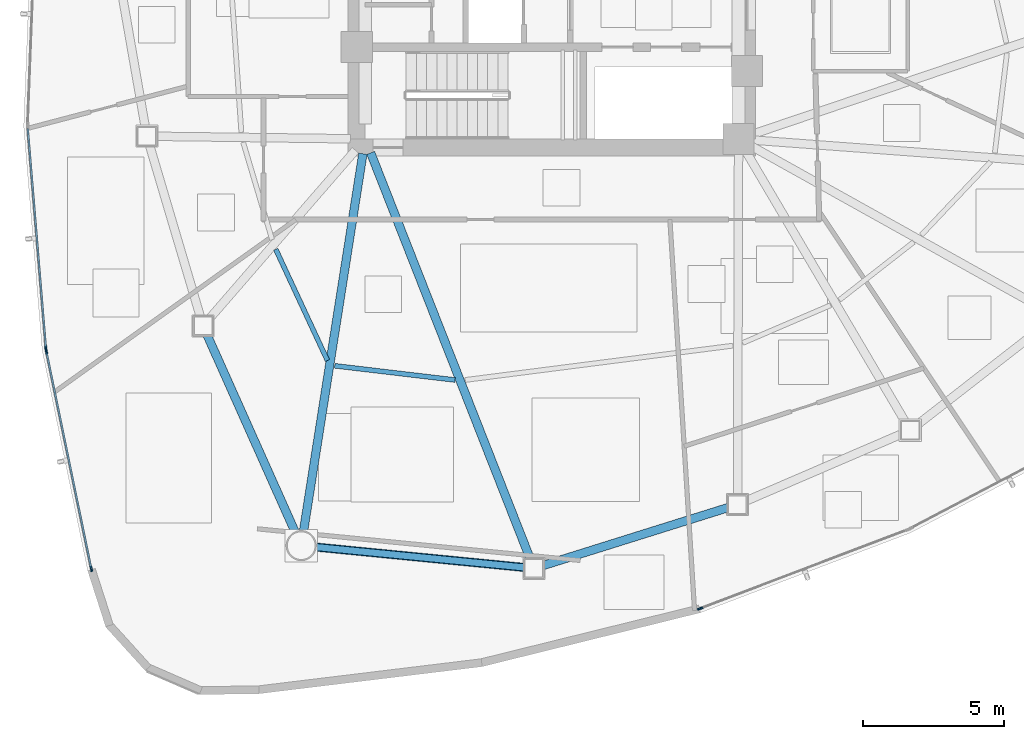
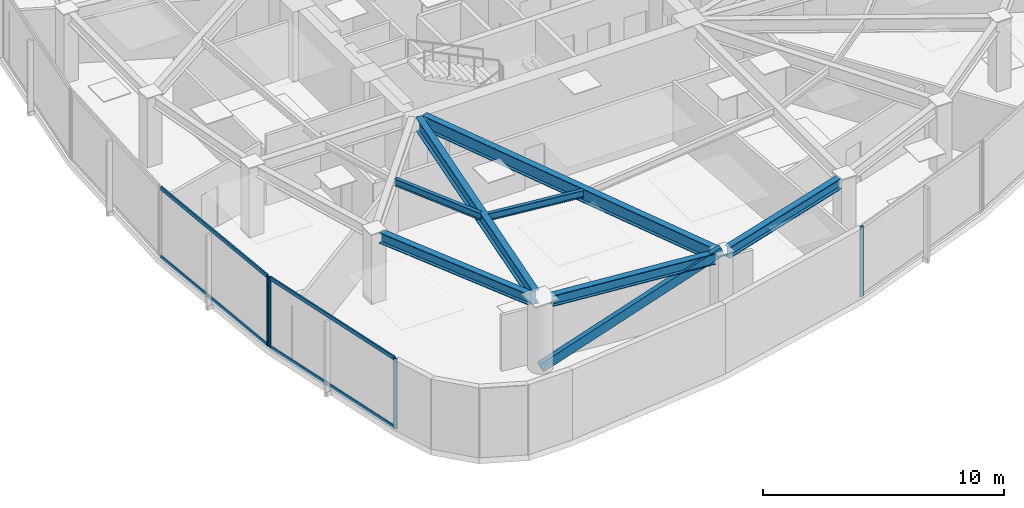
# One storey, part 2 of 17: 9 members, 7 beams, 3 elements without a shape of their own.
"""IFC4 building model written with IfcOpenShell, lengths in metres."""

from ifc_helpers import new_model, si_unit, direction, frame, origin, origin_2d, place, context, subcontext, project, spatial, hollow_rectangle, i_section, extrude, source, transform, mapped, material, layer, layer_set, material_profile, profile_set, type_object, type_shapes, element, aggregate, save


model = new_model("IFC4")

# Units and contexts
model_context = context("Model", 3, precision=1e-05, world=origin(), true_north=direction((0.0, 1.0)))
body_context = subcontext(model_context, "Body", "Model", "MODEL_VIEW")
ifc_project = project(units=[si_unit("LENGTHUNIT", "METRE"), si_unit("AREAUNIT", "SQUARE_METRE"), si_unit("VOLUMEUNIT", "CUBIC_METRE"), si_unit("PLANEANGLEUNIT", "RADIAN"), si_unit("MASSUNIT", "GRAM", prefix="KILO")], contexts=[model_context])

# Site, building, storey
site_placement = place(None, origin())
site = spatial("IfcSite", under=ifc_project, at=site_placement, CompositionType="ELEMENT")
building_placement = place(site_placement, origin())
building = spatial("IfcBuilding", under=site, at=building_placement, Name="Tavelor Broadcast Tower", CompositionType="ELEMENT")
storey_placement = place(building_placement, frame((0.0, 0.0, 134.85009765625)))
storey = spatial("IfcBuildingStorey", under=building, at=storey_placement, Name="L31", CompositionType="ELEMENT", Elevation=134.85009765625)

# Beams
ifc_material_1 = material(Name="Steel S355", Category="steel")
ifc_material_profile_1 = material_profile(ifc_material_1, i_section(OverallWidth=0.169921875, OverallDepth=0.360107421875, WebThickness=0.008056640625, FlangeThickness=0.0126953125, at=origin_2d()), Name="IPE 360")
ifc_profile_set_1 = profile_set([ifc_material_profile_1], Name="Steel S355")
beam_type_1 = type_object("IfcBeamType", Name="Composite Floor Joist T3 IPE 360", PredefinedType="JOIST", material=ifc_profile_set_1)
beam_1_placement = place(storey_placement, frame((40.237548828125, 34.901123046875, 3.369873046875), z_axis=(0.421480014114, -0.906837690936, 0.0), x_axis=(0.906837690936, 0.421480014114, 0.0)))
element("IfcBeam", 1, at=beam_1_placement, inside=storey, type_object=beam_type_1, Name="L31 Secondary Composite Floor Joist 06", PredefinedType="JOIST", context=body_context, shape_type="SweptSolid", body=[
    extrude(i_section(OverallWidth=0.169921875, OverallDepth=0.360107421875, WebThickness=0.008056640625, FlangeThickness=0.0126953125, at=origin_2d()), origin(), (0.0, 0.0, 1.0), 4.337890625),
])
beam_2_placement = place(storey_placement, frame((42.32177734375, 30.781982421875, 3.369873046875), z_axis=(0.993083165759, -0.117413056713, 0.0), x_axis=(0.117413056713, 0.993083165759, 0.0)))
element("IfcBeam", 2, at=beam_2_placement, inside=storey, type_object=beam_type_1, Name="L31 Secondary Composite Floor Joist 07", PredefinedType="JOIST", context=body_context, shape_type="SweptSolid", body=[
    extrude(i_section(OverallWidth=0.169921875, OverallDepth=0.360107421875, WebThickness=0.008056640625, FlangeThickness=0.0126953125, at=origin_2d()), origin(), (0.0, 0.0, 1.0), 4.285400390625),
])
ifc_material_profile_2 = material_profile(ifc_material_1, i_section(OverallWidth=0.300048828125, OverallDepth=0.550048828125, WebThickness=0.014892578125, FlangeThickness=0.029052734375, at=origin_2d()), Name="HEB 550")
ifc_profile_set_2 = profile_set([ifc_material_profile_2], Name="Steel S355")
beam_type_2 = type_object("IfcBeamType", Name="Perimeter Spandrel Beam T3 HEB 550", PredefinedType="SPANDREL", material=ifc_profile_set_2)
beam_3_placement = place(storey_placement, frame((37.80517578125, 31.883544921875, 3.27490234375), z_axis=(0.407977377403, -0.912992036946, 0.0), x_axis=(0.912992036946, 0.407977377403, 0.0)))
element("IfcBeam", 3, at=beam_3_placement, inside=storey, type_object=beam_type_2, Name="L31 Framed-Tube Ring Spandrel 06", PredefinedType="SPANDREL", context=body_context, shape_type="SweptSolid", body=[
    extrude(i_section(OverallWidth=0.300048828125, OverallDepth=0.550048828125, WebThickness=0.014892578125, FlangeThickness=0.029052734375, at=origin_2d()), origin(), (0.0, 0.0, 1.0), 7.658447265625),
])
beam_4_placement = place(storey_placement, frame((41.6484375, 24.373779296875, 3.27490234375), z_axis=(0.995250868203, -0.097343255237, 0.0), x_axis=(0.097343255237, 0.995250868203, 0.0)))
element("IfcBeam", 4, at=beam_4_placement, inside=storey, type_object=beam_type_2, Name="L31 Framed-Tube Ring Spandrel 07", PredefinedType="SPANDREL", context=body_context, shape_type="SweptSolid", body=[
    extrude(i_section(OverallWidth=0.300048828125, OverallDepth=0.550048828125, WebThickness=0.014892578125, FlangeThickness=0.029052734375, at=origin_2d()), origin(), (0.0, 0.0, 1.0), 7.418701171875),
])
beam_5_placement = place(storey_placement, frame((49.68701171875, 23.719482421875, 3.27490234375), z_axis=(0.954271632066, 0.29894088418, 0.0), x_axis=(-0.29894088418, 0.954271632066, 0.0)))
element("IfcBeam", 5, at=beam_5_placement, inside=storey, type_object=beam_type_2, Name="L31 Framed-Tube Ring Spandrel 08", PredefinedType="SPANDREL", context=body_context, shape_type="SweptSolid", body=[
    extrude(i_section(OverallWidth=0.300048828125, OverallDepth=0.550048828125, WebThickness=0.014892578125, FlangeThickness=0.029052734375, at=origin_2d()), origin(), (0.0, 0.0, 1.0), 6.867431640625),
])

# Member
ifc_material_profile_3 = material_profile(ifc_material_1, hollow_rectangle(XDim=0.25, YDim=0.449951171875, WallThickness=0.02001953125, at=origin_2d()), Name="RHS 450x250x20")
ifc_profile_set_3 = profile_set([ifc_material_profile_3], Name="Steel S355")
member_type_1 = type_object("IfcMemberType", Name="Perimeter Tube Brace T3 RHS 450x250x20", PredefinedType="BRACE", material=ifc_profile_set_3)
member_1_placement = place(storey_placement, frame((41.138671875, 24.423828125, 0.0), z_axis=(0.914506155646, -0.089466983032, 0.394555636423), x_axis=(0.097366094377, 0.995248634094, 0.0)))
element("IfcMember", 6, at=member_1_placement, inside=storey, type_object=member_type_1, Name="L31 Corner Tube Diagonal Brace 2", PredefinedType="BRACE", context=body_context, shape_type="SweptSolid", body=[
    extrude(hollow_rectangle(XDim=0.25, YDim=0.449951171875, WallThickness=0.02001953125, at=origin_2d()), origin(), (0.0, 0.0, 1.0), 8.9970703125),
])

# Beams
ifc_material_profile_4 = material_profile(ifc_material_1, i_section(OverallWidth=0.300048828125, OverallDepth=0.68994140625, WebThickness=0.014404296875, FlangeThickness=0.027099609375, at=origin_2d()), Name="HEA 700")
ifc_profile_set_4 = profile_set([ifc_material_profile_4], Name="Steel S355")
beam_type_3 = type_object("IfcBeamType", Name="Radial Floor Girder T3 HEA 700", PredefinedType="BEAM", material=ifc_profile_set_4)
beam_6_placement = place(storey_placement, frame((43.318115234375, 38.2783203125, 3.204833984375), z_axis=(-0.1553975273, -0.987852017515, 0.0), x_axis=(0.987852017515, -0.1553975273, 0.0)))
element("IfcBeam", 7, at=beam_6_placement, inside=storey, type_object=beam_type_3, Name="L31 Radial Primary Floor Girder 07", PredefinedType="BEAM", context=body_context, shape_type="SweptSolid", body=[
    extrude(i_section(OverallWidth=0.300048828125, OverallDepth=0.68994140625, WebThickness=0.014404296875, FlangeThickness=0.027099609375, at=origin_2d()), origin(), (0.0, 0.0, 1.0), 13.5126953125),
])
beam_7_placement = place(storey_placement, frame((43.593017578125, 38.30859375, 3.204833984375), z_axis=(0.365795149989, -0.930695389612, 0.0), x_axis=(0.930695389612, 0.365795149989, 0.0)))
element("IfcBeam", 8, at=beam_7_placement, inside=storey, type_object=beam_type_3, Name="L31 Radial Primary Floor Girder 08", PredefinedType="BEAM", context=body_context, shape_type="SweptSolid", body=[
    extrude(i_section(OverallWidth=0.300048828125, OverallDepth=0.68994140625, WebThickness=0.014404296875, FlangeThickness=0.027099609375, at=origin_2d()), origin(), (0.0, 0.0, 1.0), 15.447509765625),
])

# Curtain wall, member
ifc_material_2 = material(Name="Architectural Anodized Aluminium", Category="aluminium")
ifc_layer = layer(ifc_material_2, 0.18994140625)
ifc_layer_set = layer_set([ifc_layer], Name="Architectural Anodized Aluminium")
curtain_wall_type = type_object("IfcCurtainWallType", Name="Tower Mid-Zone Acoustic Curtain Wall CW03", PredefinedType="NOTDEFINED", material=ifc_layer_set)
curtain_wall_1_placement = place(storey_placement, origin())
curtain_wall_1 = element("IfcCurtainWall", 9, at=curtain_wall_1_placement, inside=storey, type_object=curtain_wall_type, Name="L31 Curtain Wall CW03 Run 315", PredefinedType="NOTDEFINED")
ifc_material_profile_5 = material_profile(ifc_material_2, hollow_rectangle(XDim=0.068115234375, YDim=0.18994140625, WallThickness=0.02197265625, at=origin_2d()), Name="RHS 68x190x22")
ifc_profile_set_5 = profile_set([ifc_material_profile_5], Name="Architectural Anodized Aluminium")
member_type_2 = type_object("IfcMemberType", Name="CW03 Extruded Aluminium Mullion 68x190", PredefinedType="MULLION", material=ifc_profile_set_5)
shared_shape_1 = source(origin(), body_context, "Body", "SweptSolid", [
    extrude(hollow_rectangle(XDim=0.068115234375, YDim=0.18994140625, WallThickness=0.02197265625, at=origin_2d()), origin(), (0.0, 0.0, 1.0), 3.5498046875),
])
type_shapes(member_type_2, [shared_shape_1])
member_2_placement = place(storey_placement, frame((32.113037109375, 31.38818359375, 0.0), z_axis=(0.0, 0.0, 1.0), x_axis=(0.996601014828, 0.082379713791, 0.0)))
member_2 = element("IfcMember", 10, at=member_2_placement, type_object=member_type_2, Name="CW03 mullion 2", PredefinedType="MULLION", context=body_context, shape_type="MappedRepresentation", body=[
    mapped(shared_shape_1, transform((0.0, 0.0, 0.0), scale=1.0)),
])

# Curtain wall, members
curtain_wall_2_placement = place(storey_placement, origin())
curtain_wall_2 = element("IfcCurtainWall", 11, at=curtain_wall_2_placement, inside=storey, type_object=curtain_wall_type, Name="L31 Curtain Wall CW03 Run 316", PredefinedType="NOTDEFINED")
member_3_placement = place(storey_placement, frame((32.126953125, 31.29150390625, 0.0), z_axis=(0.0, 0.0, 1.0), x_axis=(0.979306596297, 0.202382287884, 0.0)))
member_3 = element("IfcMember", 12, at=member_3_placement, type_object=member_type_2, Name="CW03 mullion 1", PredefinedType="MULLION", context=body_context, shape_type="MappedRepresentation", body=[
    mapped(shared_shape_1, transform((0.0, 0.0, 0.0), scale=1.0)),
])
member_4_placement = place(storey_placement, frame((33.716552734375, 23.599853515625, 0.0), z_axis=(0.0, 0.0, 1.0), x_axis=(0.979306596297, 0.202382287884, 0.0)))
member_4 = element("IfcMember", 13, at=member_4_placement, type_object=member_type_2, Name="CW03 mullion 2", PredefinedType="MULLION", context=body_context, shape_type="MappedRepresentation", body=[
    mapped(shared_shape_1, transform((0.0, 0.0, 0.0), scale=1.0)),
])

# Curtain wall, member
curtain_wall_3_placement = place(storey_placement, origin())
curtain_wall_3 = element("IfcCurtainWall", 14, at=curtain_wall_3_placement, inside=storey, type_object=curtain_wall_type, Name="L31 Curtain Wall CW03 Run 317", PredefinedType="NOTDEFINED")
member_5_placement = place(storey_placement, frame((55.24169921875, 22.197021484375, 0.0), z_axis=(0.0, 0.0, 1.0), x_axis=(-0.355503900631, 0.934674797262, 0.0)))
member_5 = element("IfcMember", 15, at=member_5_placement, type_object=member_type_2, Name="CW03 mullion 1", PredefinedType="MULLION", context=body_context, shape_type="MappedRepresentation", body=[
    mapped(shared_shape_1, transform((0.0, 0.0, 0.0), scale=1.0)),
])
aggregate(curtain_wall_3, [member_5])

# Member
ifc_material_profile_6 = material_profile(ifc_material_2, hollow_rectangle(XDim=0.068115234375, YDim=0.18994140625, WallThickness=0.02197265625, at=origin_2d()), Name="RHS 68x190x22")
ifc_profile_set_6 = profile_set([ifc_material_profile_6], Name="Architectural Anodized Aluminium")
member_type_3 = type_object("IfcMemberType", Name="CW03 Extruded Aluminium Transom 68x190", PredefinedType="USERDEFINED", material=ifc_profile_set_6)
shared_shape_2 = source(origin(), body_context, "Body", "SweptSolid", [
    extrude(hollow_rectangle(XDim=0.068115234375, YDim=0.18994140625, WallThickness=0.02197265625, at=origin_2d()), origin(), (0.0, 0.0, 1.0), 7.77001953125),
])
member_6_placement = place(storey_placement, frame((31.47021484375, 39.165771484375, 0.033935546875), z_axis=(0.082353770092, -0.996603159011, 0.0), x_axis=(0.996603159011, 0.082353770092, 0.0)))
member_6 = element("IfcMember", 16, at=member_6_placement, type_object=member_type_3, Name="CW03 transom 1.1", ObjectType="TRANSOM", PredefinedType="USERDEFINED", context=body_context, shape_type="MappedRepresentation", body=[
    mapped(shared_shape_2, transform((0.0, 0.0, 0.0), scale=1.0)),
])

member_7_placement = place(storey_placement, frame((31.47021484375, 39.165771484375, 3.515869140625), z_axis=(0.082353770092, -0.996603159011, 0.0), x_axis=(0.996603159011, 0.082353770092, 0.0)))
member_7 = element("IfcMember", 17, at=member_7_placement, type_object=member_type_3, Name="CW03 transom 1.2", ObjectType="TRANSOM", PredefinedType="USERDEFINED", context=body_context, shape_type="MappedRepresentation", body=[
    mapped(shared_shape_2, transform((0.0, 0.0, 0.0), scale=1.0)),
])

aggregate(curtain_wall_1, [member_2, member_6, member_7])

shared_shape_3 = source(origin(), body_context, "Body", "SweptSolid", [
    extrude(hollow_rectangle(XDim=0.068115234375, YDim=0.18994140625, WallThickness=0.02197265625, at=origin_2d()), origin(), (0.0, 0.0, 1.0), 7.7861328125),
])
type_shapes(member_type_3, [shared_shape_2, shared_shape_3])
member_8_placement = place(storey_placement, frame((32.1337890625, 31.258056640625, 0.033935546875), z_axis=(0.202401340362, -0.979302658742, 0.0), x_axis=(0.979302658742, 0.202401340362, 0.0)))
member_8 = element("IfcMember", 18, at=member_8_placement, type_object=member_type_3, Name="CW03 transom 1.1", ObjectType="TRANSOM", PredefinedType="USERDEFINED", context=body_context, shape_type="MappedRepresentation", body=[
    mapped(shared_shape_3, transform((0.0, 0.0, 0.0), scale=1.0)),
])

member_9_placement = place(storey_placement, frame((32.1337890625, 31.258056640625, 3.515869140625), z_axis=(0.202401340362, -0.979302658742, 0.0), x_axis=(0.979302658742, 0.202401340362, 0.0)))
member_9 = element("IfcMember", 19, at=member_9_placement, type_object=member_type_3, Name="CW03 transom 1.2", ObjectType="TRANSOM", PredefinedType="USERDEFINED", context=body_context, shape_type="MappedRepresentation", body=[
    mapped(shared_shape_3, transform((0.0, 0.0, 0.0), scale=1.0)),
])

aggregate(curtain_wall_2, [member_3, member_4, member_8, member_9])

save(model, "model.ifc")
